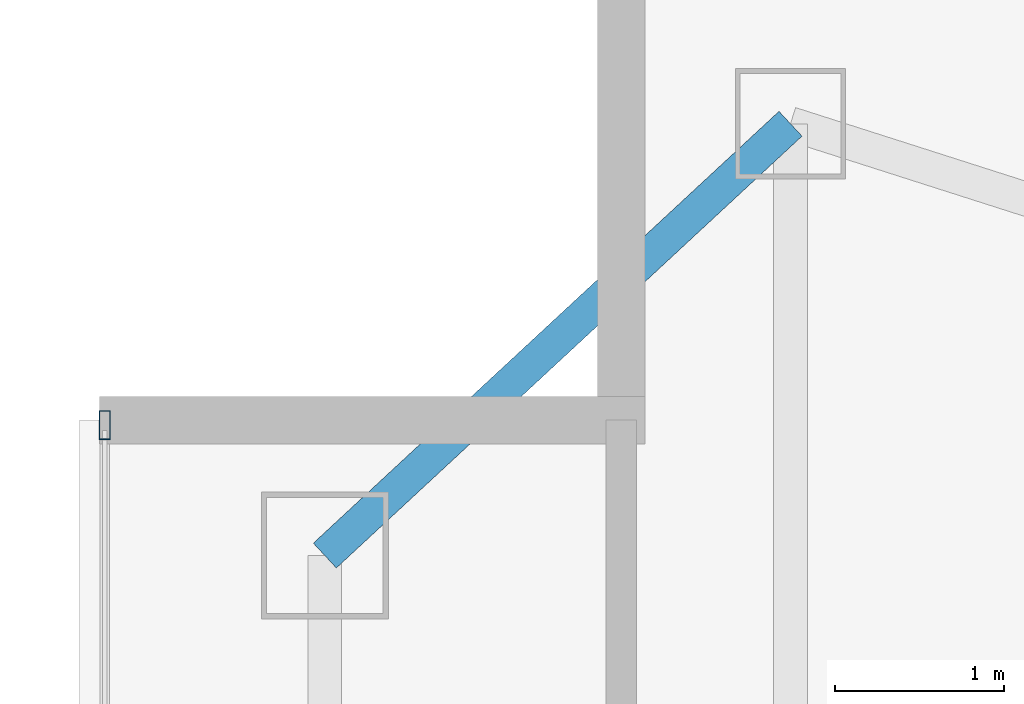
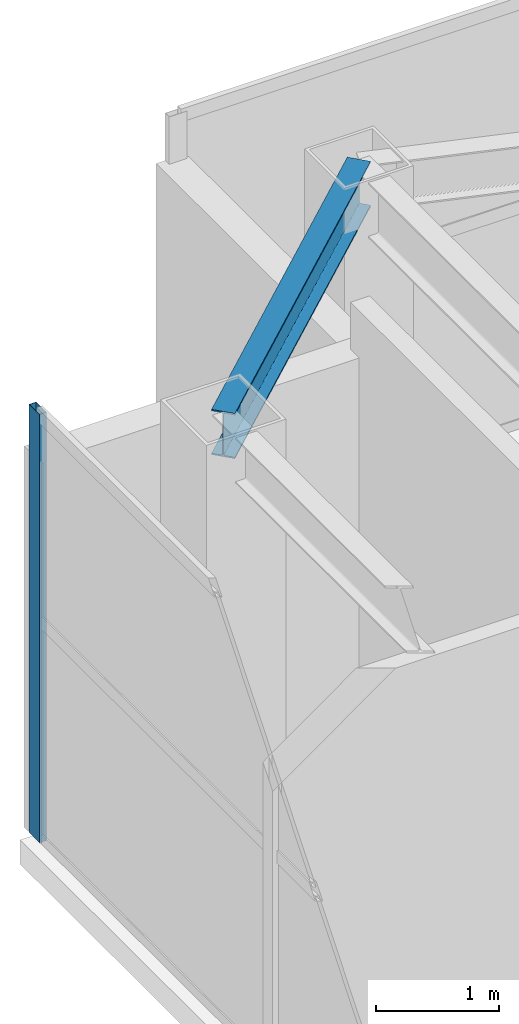
# One storey, part 16 of 25: 1 beam, 1 member, 1 element without a shape of its own.
"""IFC4 building model written with IfcOpenShell, lengths in metres."""

from ifc_helpers import new_model, si_unit, direction, frame, origin, origin_2d, place, context, subcontext, project, spatial, hollow_rectangle, i_section, extrude, material, layer, layer_set, material_profile, profile_set, type_object, element, aggregate, save


model = new_model("IFC4")

# Units and contexts
model_context = context("Model", 3, precision=1e-05, world=origin(), true_north=direction((0.0, 1.0)))
body_context = subcontext(model_context, "Body", "Model", "MODEL_VIEW")
ifc_project = project(units=[si_unit("LENGTHUNIT", "METRE"), si_unit("AREAUNIT", "SQUARE_METRE"), si_unit("VOLUMEUNIT", "CUBIC_METRE"), si_unit("PLANEANGLEUNIT", "RADIAN"), si_unit("MASSUNIT", "GRAM", prefix="KILO")], contexts=[model_context])

# Site, building, storey
site_placement = place(None, origin())
site = spatial("IfcSite", under=ifc_project, at=site_placement, CompositionType="ELEMENT")
building_placement = place(site_placement, origin())
building = spatial("IfcBuilding", under=site, at=building_placement, Name="Calvorn Quay Hotel", CompositionType="ELEMENT")
storey_placement = place(building_placement, frame((0.0, 0.0, 311.5)))
storey = spatial("IfcBuildingStorey", under=building, at=storey_placement, Name="L77", CompositionType="ELEMENT", Elevation=311.5)

# Beam
ifc_material_1 = material(Name="Steel Q355B", Category="steel")
ifc_material_profile_1 = material_profile(ifc_material_1, i_section(OverallWidth=0.199951171875, OverallDepth=0.449951171875, WebThickness=0.009033203125, FlangeThickness=0.013916015625, FilletRadius=0.01611328125, at=origin_2d()), Name="HN450x200x9x14")
ifc_profile_set_1 = profile_set([ifc_material_profile_1], Name="Steel Q355B")
beam_type = type_object("IfcBeamType", Name="BM-SPANDREL-Z3", PredefinedType="SPANDREL", material=ifc_profile_set_1)
beam_placement = place(storey_placement, frame((1.449951171875, 47.0, 4.014892578125), z_axis=(0.733261665538, 0.679946563969, 0.0), x_axis=(-0.679946563969, 0.733261665538, 0.0)))
element("IfcBeam", 1, at=beam_placement, inside=storey, type_object=beam_type, Name="Beam BSP-L77-W5", PredefinedType="SPANDREL", context=body_context, shape_type="SweptSolid", body=[
    extrude(i_section(OverallWidth=0.199951171875, OverallDepth=0.449951171875, WebThickness=0.009033203125, FlangeThickness=0.013916015625, FilletRadius=0.01611328125, at=origin_2d()), origin(), (0.0, 0.0, 1.0), 3.75048828125),
])

# Curtain wall, member
ifc_material_2 = material(Name="Champagne Bronze Anodised Aluminium and Low-E Glass", Category="aluminium")
ifc_layer = layer(ifc_material_2, 0.219970703125)
ifc_layer_set = layer_set([ifc_layer], Name="CW-SYS-Z4")
curtain_wall_type = type_object("IfcCurtainWallType", Name="CW-SYS-Z4", PredefinedType="NOTDEFINED", material=ifc_layer_set)
curtain_wall_placement = place(storey_placement, origin())
curtain_wall = element("IfcCurtainWall", 2, at=curtain_wall_placement, inside=storey, type_object=curtain_wall_type, Name="Tower West Curtain Wall (L77)", PredefinedType="NOTDEFINED")
ifc_material_3 = material(Name="Champagne Bronze Anodised Aluminium 6063-T6", Category="aluminium")
ifc_material_profile_2 = material_profile(ifc_material_3, hollow_rectangle(XDim=0.06494140625, YDim=0.169921875, WallThickness=0.00341796875, at=origin_2d()), Name="ALU-M170x65x3.5")
ifc_profile_set_2 = profile_set([ifc_material_profile_2], Name="Champagne Bronze Anodised Aluminium 6063-T6")
member_type = type_object("IfcMemberType", Name="CW-SYS-Z4-MUL", PredefinedType="MULLION", material=ifc_profile_set_2)
member_placement = place(storey_placement, frame((0.14990234375, 47.77001953125, 0.0), z_axis=(0.0, 0.0, 1.0), x_axis=(-1.0, 0.0, 0.0)))
member = element("IfcMember", 3, at=member_placement, type_object=member_type, Name="CW-L77-W mullion 5", PredefinedType="MULLION", context=body_context, shape_type="SweptSolid", body=[
    extrude(hollow_rectangle(XDim=0.06494140625, YDim=0.169921875, WallThickness=0.00341796875, at=origin_2d()), origin(), (0.0, 0.0, 1.0), 4.260009765625),
])
aggregate(curtain_wall, [member])

save(model, "model.ifc")
